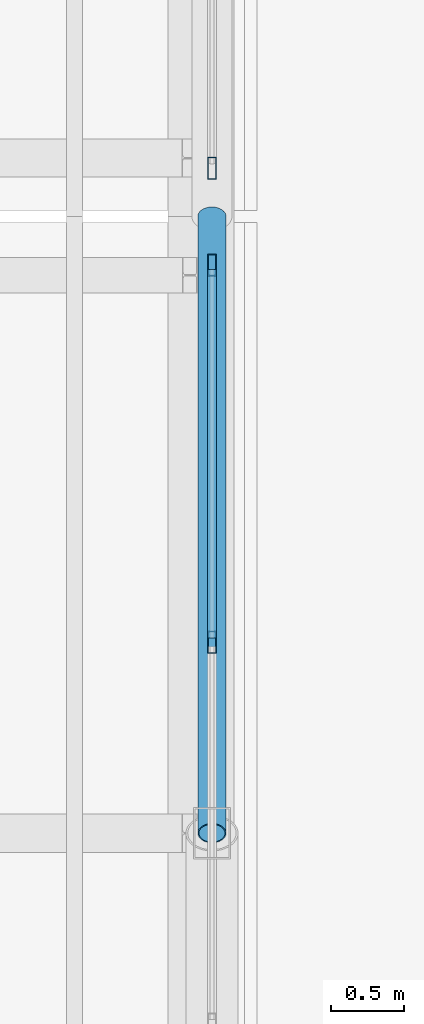
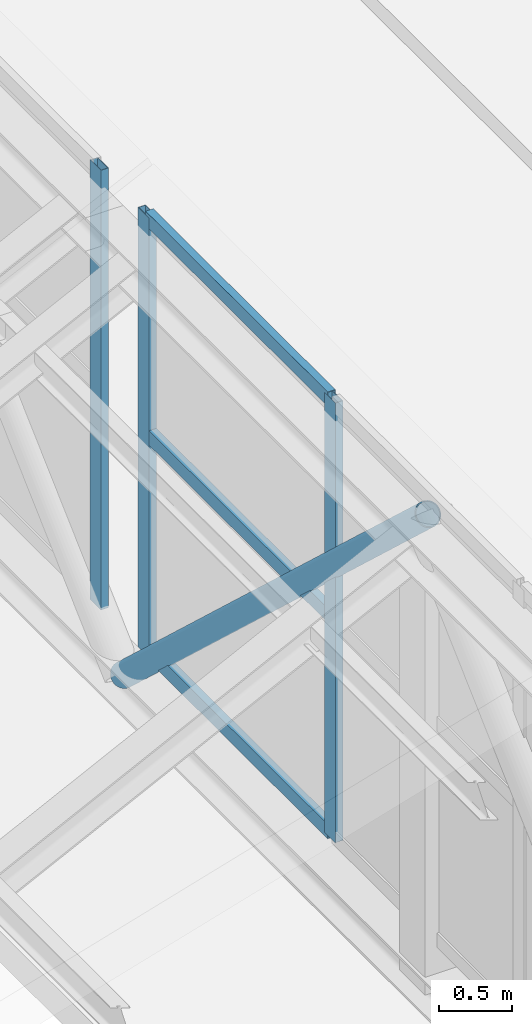
# One storey, part 48 of 101: 7 members, 2 elements without a shape of their own.
"""IFC4 building model written with IfcOpenShell, lengths in metres."""

import ifcopenshell
import ifcopenshell.guid

model = None  # the IFC model being written
_history = None  # IfcOwnerHistory: only IFC2X3 demands one
_inside = {}  # id of a spatial element -> (the spatial element, [elements in it])
_under = {}  # id of a project, library or spatial element -> (it, [spatial elements below it])
_declared = {}  # id of a project -> (the project, [libraries it declares])
_typed = {}  # id of a type object -> (the type object, [elements of that type])
_made_of = {}  # id of a material, layer set ... -> (it, [elements and type objects made of it])


def new_model(schema):
    """Start an empty IFC model of exactly this schema.

    Asked for "IFC4X3", IfcOpenShell would pick the latest addendum, in which some entities
    have other attributes; the version numbers below select the first issue.
    IFC2X3 requires an IfcOwnerHistory on every rooted entity: one is made here for all.
    """
    global model, _history
    if schema == "IFC4X3":
        model = ifcopenshell.file(schema_version=(4, 3, 0, 0))
    else:
        model = ifcopenshell.file(schema=schema)
    _inside.clear()
    _under.clear()
    _declared.clear()
    _typed.clear()
    _made_of.clear()
    _history = None
    if model.schema == "IFC2X3":
        org = make("IfcOrganization", Name="unknown")
        user = make(
            "IfcPersonAndOrganization",
            ThePerson=make("IfcPerson", FamilyName="unknown"),
            TheOrganization=org,
        )
        app = make(
            "IfcApplication",
            ApplicationDeveloper=org,
            Version="unknown",
            ApplicationFullName="unknown",
            ApplicationIdentifier="unknown",
        )
        _history = make(
            "IfcOwnerHistory",
            OwningUser=user,
            OwningApplication=app,
            ChangeAction="ADDED",
            CreationDate=0,
        )
    return model


def make(cls, **values):
    """One entity of the class cls with the attributes given. An attribute that is None is left unset."""
    return model.create_entity(
        cls, **{name: value for name, value in values.items() if value is not None}
    )


def rooted(cls, **values):
    """An entity with a GlobalId (a new one), such as an element, a storey or a relation."""
    return make(cls, GlobalId=ifcopenshell.guid.new(), OwnerHistory=_history, **values)


def si_unit(unit_type, name, prefix=None):
    """IfcSIUnit, for example si_unit("LENGTHUNIT", "METRE", prefix="MILLI")."""
    return make("IfcSIUnit", UnitType=unit_type, Prefix=prefix, Name=name)


def assignment(units):
    """IfcUnitAssignment: the units of a project."""
    return None if units is None else make("IfcUnitAssignment", Units=units)


def point(xyz):
    """IfcCartesianPoint."""
    return None if xyz is None else make("IfcCartesianPoint", Coordinates=xyz)


def direction(xyz):
    """IfcDirection."""
    return None if xyz is None else make("IfcDirection", DirectionRatios=xyz)


def frame(location, z_axis=None, x_axis=None):
    """IfcAxis2Placement3D, a coordinate frame: its origin and axes. An axis left out is left unset."""
    return make(
        "IfcAxis2Placement3D",
        Location=point(location),
        Axis=direction(z_axis),
        RefDirection=direction(x_axis),
    )


def frame_2d(location, x_axis=None):
    """IfcAxis2Placement2D, a coordinate frame in the plane: its origin and x axis."""
    return make(
        "IfcAxis2Placement2D", Location=point(location), RefDirection=direction(x_axis)
    )


def origin():
    """The frame at (0, 0, 0) with its axes left unset."""
    return frame((0.0, 0.0, 0.0))


def origin_2d():
    """The frame at (0, 0) in the plane with its x axis left unset."""
    return frame_2d((0.0, 0.0))


def place(relative_to, where):
    """IfcLocalPlacement: puts the frame where relative to a parent placement (None: the world)."""
    return make(
        "IfcLocalPlacement", PlacementRelTo=relative_to, RelativePlacement=where
    )


def context(
    kind, dimensions, precision=None, world=None, true_north=None, identifier=None
):
    """IfcGeometricRepresentationContext, for example the 3D "Model" context."""
    return make(
        "IfcGeometricRepresentationContext",
        ContextIdentifier=identifier,
        ContextType=kind,
        CoordinateSpaceDimension=dimensions,
        Precision=precision,
        WorldCoordinateSystem=world,
        TrueNorth=true_north,
    )


def subcontext(parent, identifier, kind, view, scale=None):
    """IfcGeometricRepresentationSubContext, for example "Body" below "Model"."""
    return make(
        "IfcGeometricRepresentationSubContext",
        ContextIdentifier=identifier,
        ContextType=kind,
        ParentContext=parent,
        TargetScale=scale,
        TargetView=view,
    )


def project(units=None, contexts=None):
    """IfcProject with its units and contexts."""
    return rooted(
        "IfcProject",
        Name="project",
        RepresentationContexts=contexts,
        UnitsInContext=assignment(units),
    )


def spatial(cls, under=None, at=None, **own):
    """A site, building, storey or space (cls), placed at a placement, below another one or the project."""
    s = rooted(cls, ObjectPlacement=at, **own)
    if under is not None:
        _under.setdefault(under.id(), (under, []))[1].append(s)
    return s


def profile(cls, at=None, kind="AREA", **sizes):
    """A parametric profile (cls). Its sizes go by their IFC names, for example OverallWidth=200.0."""
    return make(cls, ProfileType=kind, Position=at, **sizes)


def hollow_rectangle(**sizes):
    """IfcRectangleHollowProfileDef."""
    return profile("IfcRectangleHollowProfileDef", **sizes)


def hollow_circle(**sizes):
    """IfcCircleHollowProfileDef."""
    return profile("IfcCircleHollowProfileDef", **sizes)


def extrude(swept, where, along, depth):
    """IfcExtrudedAreaSolid: the profile swept, set in the frame where, extruded along a direction by depth."""
    return make(
        "IfcExtrudedAreaSolid",
        SweptArea=swept,
        Position=where,
        ExtrudedDirection=direction(along),
        Depth=depth,
    )


def shape(context_of_items, identifier, shape_type, items):
    """IfcShapeRepresentation: the items that make up one representation, for example the "Body"."""
    return make(
        "IfcShapeRepresentation",
        ContextOfItems=context_of_items,
        RepresentationIdentifier=identifier,
        RepresentationType=shape_type,
        Items=items,
    )


def material(Name=None, Category=None):
    """IfcMaterial."""
    return make("IfcMaterial", Name=Name, Category=Category)


def layer(
    of_material, thickness, ventilated=None, Name=None, Category=None, Priority=None
):
    """IfcMaterialLayer: one layer of a wall or slab, of a material (None: an air gap)."""
    return make(
        "IfcMaterialLayer",
        Material=of_material,
        LayerThickness=thickness,
        IsVentilated=ventilated,
        Name=Name,
        Category=Category,
        Priority=Priority,
    )


def layer_set(layers, Name=None):
    """IfcMaterialLayerSet."""
    return make("IfcMaterialLayerSet", MaterialLayers=layers, LayerSetName=Name)


def material_profile(
    of_material, cross_section, Name=None, Category=None, Priority=None
):
    """IfcMaterialProfile: a cross section and its material."""
    return make(
        "IfcMaterialProfile",
        Name=Name,
        Material=of_material,
        Profile=cross_section,
        Priority=Priority,
        Category=Category,
    )


def profile_set(profiles, Name=None, composite=None):
    """IfcMaterialProfileSet."""
    return make(
        "IfcMaterialProfileSet",
        Name=Name,
        MaterialProfiles=profiles,
        CompositeProfile=composite,
    )


def made_of(thing, what):
    """Note that an element or type object is made of a material, layer set ...; save() writes the relation."""
    if what is not None:
        _made_of.setdefault(what.id(), (what, []))[1].append(thing)
    return thing


def type_object(cls, material=None, **own):
    """A type object (cls), such as IfcWallType, which elements share."""
    return made_of(rooted(cls, **own), material)


def element(
    cls,
    number,
    at=None,
    inside=None,
    cuts=None,
    type_object=None,
    material=None,
    context=None,
    identifier="Body",
    shape_type=None,
    held_by="IfcProductDefinitionShape",
    body=None,
    shapes=None,
    **own,
):
    """One element of the class cls, such as IfcWall. Its Tag is "e" and its number.

    at: its placement. inside: the storey or other place that contains it. cuts: it is an
    opening in that element (IfcRelVoidsElement). A single representation is given by context,
    identifier, shape_type and body (its items); several are given by shapes. held_by: the class
    of the entity that holds the representations. save() writes the other relations.
    """
    e = rooted(cls, Tag="e%d" % number, ObjectPlacement=at, **own)
    if body is not None:
        shapes = [shape(context, identifier, shape_type, body)]
    if shapes is not None:
        e.Representation = make(held_by, Representations=shapes)
    if inside is not None:
        _inside.setdefault(inside.id(), (inside, []))[1].append(e)
    if cuts is not None:
        rooted(
            "IfcRelVoidsElement", RelatingBuildingElement=cuts, RelatedOpeningElement=e
        )
    if type_object is not None:
        _typed.setdefault(type_object.id(), (type_object, []))[1].append(e)
    return made_of(e, material)


def aggregate(whole, parts):
    """IfcRelAggregates: a whole, such as a stair, and the parts it consists of."""
    return rooted("IfcRelAggregates", RelatingObject=whole, RelatedObjects=parts)


def save(model, path):
    """Write the relations noted so far, then the file.

    IfcRelAggregates (storeys below a building ...), IfcRelContainedInSpatialStructure (elements
    in a storey), IfcRelDefinesByType, IfcRelAssociatesMaterial and IfcRelDeclares: one each for
    every whole, place, type object, material and project.
    """
    for whole, parts in _under.values():
        aggregate(whole, parts)
    for where, things in _inside.values():
        rooted(
            "IfcRelContainedInSpatialStructure",
            RelatedElements=things,
            RelatingStructure=where,
        )
    for kind, things in _typed.values():
        rooted("IfcRelDefinesByType", RelatedObjects=things, RelatingType=kind)
    for what, things in _made_of.values():
        rooted("IfcRelAssociatesMaterial", RelatedObjects=things, RelatingMaterial=what)
    for by, libraries in _declared.values():
        rooted("IfcRelDeclares", RelatingContext=by, RelatedDefinitions=libraries)
    model.write(path)


model = new_model("IFC4")

# Units and contexts
model_context = context("Model", 3, precision=1e-05, world=origin(), true_north=direction((0.0, 1.0)))
body_context = subcontext(model_context, "Body", "Model", "MODEL_VIEW")
ifc_project = project(units=[si_unit("LENGTHUNIT", "METRE"), si_unit("AREAUNIT", "SQUARE_METRE"), si_unit("VOLUMEUNIT", "CUBIC_METRE"), si_unit("PLANEANGLEUNIT", "RADIAN"), si_unit("MASSUNIT", "GRAM", prefix="KILO")], contexts=[model_context])

# Site, building, storey
site_placement = place(None, origin())
site = spatial("IfcSite", under=ifc_project, at=site_placement, CompositionType="ELEMENT")
building_placement = place(site_placement, origin())
building = spatial("IfcBuilding", under=site, at=building_placement, Name="Zizhar Promenade General Hospital", CompositionType="ELEMENT")
storey_placement = place(building_placement, frame((0.0, 0.0, 14.39990234375)))
storey = spatial("IfcBuildingStorey", under=building, at=storey_placement, Name="L03", CompositionType="ELEMENT", Elevation=14.39990234375)

# Curtain wall, members
ifc_material_1 = material(Name="Anodised aluminium 6063-T6 and low-E glass", Category="aluminium")
ifc_layer_1 = layer(ifc_material_1, 0.159912109375)
ifc_layer_set_1 = layer_set([ifc_layer_1], Name="Anodised aluminium 6063-T6 and low-E glass")
curtain_wall_type_1 = type_object("IfcCurtainWallType", Name="CW-SAW-NL2", PredefinedType="NOTDEFINED", material=ifc_layer_set_1)
curtain_wall_1_placement = place(storey_placement, origin())
curtain_wall_1 = element("IfcCurtainWall", 1, at=curtain_wall_1_placement, inside=storey, type_object=curtain_wall_type_1, Name="Sawtooth Clerestory Light B7-S2", PredefinedType="NOTDEFINED")
ifc_material_2 = material(Name="Anodised aluminium 6063-T6", Category="aluminium")
ifc_material_profile_1 = material_profile(ifc_material_2, hollow_rectangle(XDim=0.06005859375, YDim=0.14990234375, WallThickness=0.00390625, at=origin_2d()))
ifc_profile_set_1 = profile_set([ifc_material_profile_1], Name="Anodised aluminium 6063-T6")
member_type_1 = type_object("IfcMemberType", Name="CWM-ALU-150x60", PredefinedType="MULLION", material=ifc_profile_set_1)
member_1_placement = place(storey_placement, frame((124.800048828125, 39.10009765625, 3.85009765625), z_axis=(0.0, 0.0, 1.0), x_axis=(-1.0, 0.0, 0.0)))
member_1 = element("IfcMember", 2, at=member_1_placement, type_object=member_type_1, Name="CW-04 mullion 3", PredefinedType="MULLION", context=body_context, shape_type="SweptSolid", body=[
    extrude(hollow_rectangle(XDim=0.06005859375, YDim=0.14990234375, WallThickness=0.00390625, at=origin_2d()), origin(), (0.0, 0.0, 1.0), 3.699951171875),
])
member_2_placement = place(storey_placement, frame((124.800048828125, 41.669921875, 3.85009765625), z_axis=(0.0, 0.0, 1.0), x_axis=(-1.0, 0.0, 0.0)))
member_2 = element("IfcMember", 3, at=member_2_placement, type_object=member_type_1, Name="CW-04 mullion 4", PredefinedType="MULLION", context=body_context, shape_type="SweptSolid", body=[
    extrude(hollow_rectangle(XDim=0.06005859375, YDim=0.14990234375, WallThickness=0.00390625, at=origin_2d()), origin(), (0.0, 0.0, 1.0), 3.699951171875),
])

# Curtain wall, member
ifc_material_3 = material(Name="Anodised aluminium 6063-T6 and low-E glass", Category="aluminium")
ifc_layer_2 = layer(ifc_material_3, 0.159912109375)
ifc_layer_set_2 = layer_set([ifc_layer_2], Name="Anodised aluminium 6063-T6 and low-E glass")
curtain_wall_type_2 = type_object("IfcCurtainWallType", Name="CW-SAW-NL3", PredefinedType="NOTDEFINED", material=ifc_layer_set_2)
curtain_wall_2_placement = place(storey_placement, origin())
curtain_wall_2 = element("IfcCurtainWall", 4, at=curtain_wall_2_placement, inside=storey, type_object=curtain_wall_type_2, Name="Sawtooth Clerestory Light B7-S3", PredefinedType="NOTDEFINED")
member_3_placement = place(storey_placement, frame((124.800048828125, 42.330078125, 3.85009765625), z_axis=(0.0, 0.0, 1.0), x_axis=(-1.0, 0.0, 0.0)))
member_3 = element("IfcMember", 5, at=member_3_placement, type_object=member_type_1, Name="CW-05 mullion 1", PredefinedType="MULLION", context=body_context, shape_type="SweptSolid", body=[
    extrude(hollow_rectangle(XDim=0.06005859375, YDim=0.14990234375, WallThickness=0.00390625, at=origin_2d()), origin(), (0.0, 0.0, 1.0), 3.699951171875),
])
aggregate(curtain_wall_2, [member_3])

# Member
ifc_material_4 = material(Name="Anodised aluminium 6063-T6", Category="aluminium")
ifc_material_profile_2 = material_profile(ifc_material_4, hollow_rectangle(XDim=0.06005859375, YDim=0.1201171875, WallThickness=0.00390625, at=origin_2d()))
ifc_profile_set_2 = profile_set([ifc_material_profile_2], Name="Anodised aluminium 6063-T6")
member_type_2 = type_object("IfcMemberType", Name="CWT-ALU-120x60", PredefinedType="USERDEFINED", material=ifc_profile_set_2)
member_4_placement = place(storey_placement, frame((124.800048828125, 39.1298828125, 3.880126953125), z_axis=(0.0, 1.0, 0.0), x_axis=(-1.0, 0.0, 0.0)))
member_4 = element("IfcMember", 6, at=member_4_placement, type_object=member_type_2, Name="CW-04 transom 3.1", ObjectType="TRANSOM", PredefinedType="USERDEFINED", context=body_context, shape_type="SweptSolid", body=[
    extrude(hollow_rectangle(XDim=0.06005859375, YDim=0.1201171875, WallThickness=0.00390625, at=origin_2d()), origin(), (0.0, 0.0, 1.0), 2.510009765625),
])

member_5_placement = place(storey_placement, frame((124.800048828125, 39.1298828125, 5.7001953125), z_axis=(0.0, 1.0, 0.0), x_axis=(-1.0, 0.0, 0.0)))
member_5 = element("IfcMember", 7, at=member_5_placement, type_object=member_type_2, Name="CW-04 transom 3.2", ObjectType="TRANSOM", PredefinedType="USERDEFINED", context=body_context, shape_type="SweptSolid", body=[
    extrude(hollow_rectangle(XDim=0.06005859375, YDim=0.1201171875, WallThickness=0.00390625, at=origin_2d()), origin(), (0.0, 0.0, 1.0), 2.510009765625),
])

member_6_placement = place(storey_placement, frame((124.800048828125, 39.1298828125, 7.52001953125), z_axis=(0.0, 1.0, 0.0), x_axis=(-1.0, 0.0, 0.0)))
member_6 = element("IfcMember", 8, at=member_6_placement, type_object=member_type_2, Name="CW-04 transom 3.3", ObjectType="TRANSOM", PredefinedType="USERDEFINED", context=body_context, shape_type="SweptSolid", body=[
    extrude(hollow_rectangle(XDim=0.06005859375, YDim=0.1201171875, WallThickness=0.00390625, at=origin_2d()), origin(), (0.0, 0.0, 1.0), 2.510009765625),
])

aggregate(curtain_wall_1, [member_1, member_2, member_4, member_5, member_6])

ifc_material_5 = material(Name="Steel S355", Category="steel")
ifc_material_profile_3 = material_profile(ifc_material_5, hollow_circle(Radius=0.096923828125, WallThickness=0.008056640625, at=origin_2d()))
ifc_profile_set_3 = profile_set([ifc_material_profile_3], Name="Steel S355")
member_type_3 = type_object("IfcMemberType", Name="MEM-DIAG-CHS194", PredefinedType="BRACE", material=ifc_profile_set_3)
member_7_placement = place(storey_placement, frame((124.800048828125, 42.0, 3.4501953125), z_axis=(0.0, -0.732798043082, 0.680446197767), x_axis=(1.0, 0.0, 0.0)))
element("IfcMember", 9, at=member_7_placement, inside=storey, type_object=member_type_3, Name="Sawtooth Truss Frame 8 Diagonal B2", PredefinedType="BRACE", context=body_context, shape_type="SweptSolid", body=[
    extrude(hollow_circle(Radius=0.096923828125, WallThickness=0.008056640625, at=origin_2d()), origin(), (0.0, 0.0, 1.0), 5.7314453125),
])

save(model, "model.ifc")
